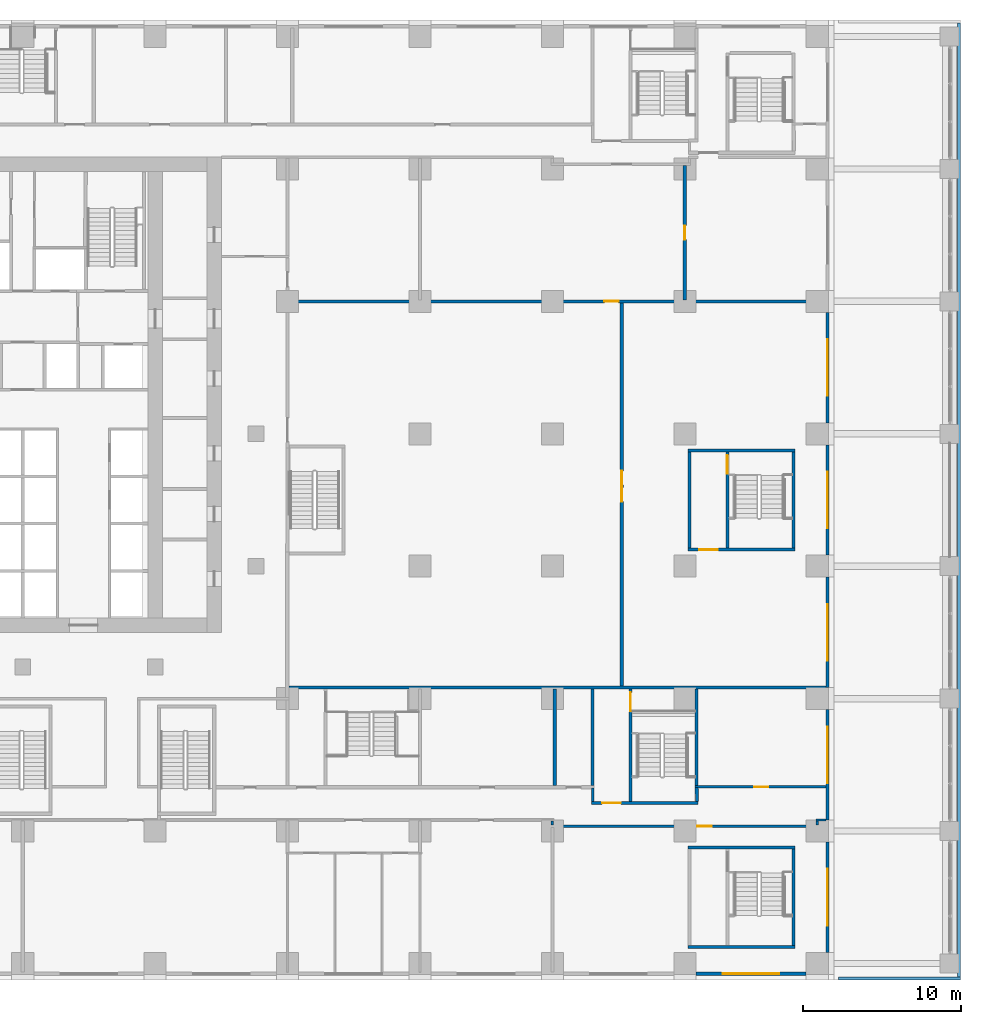
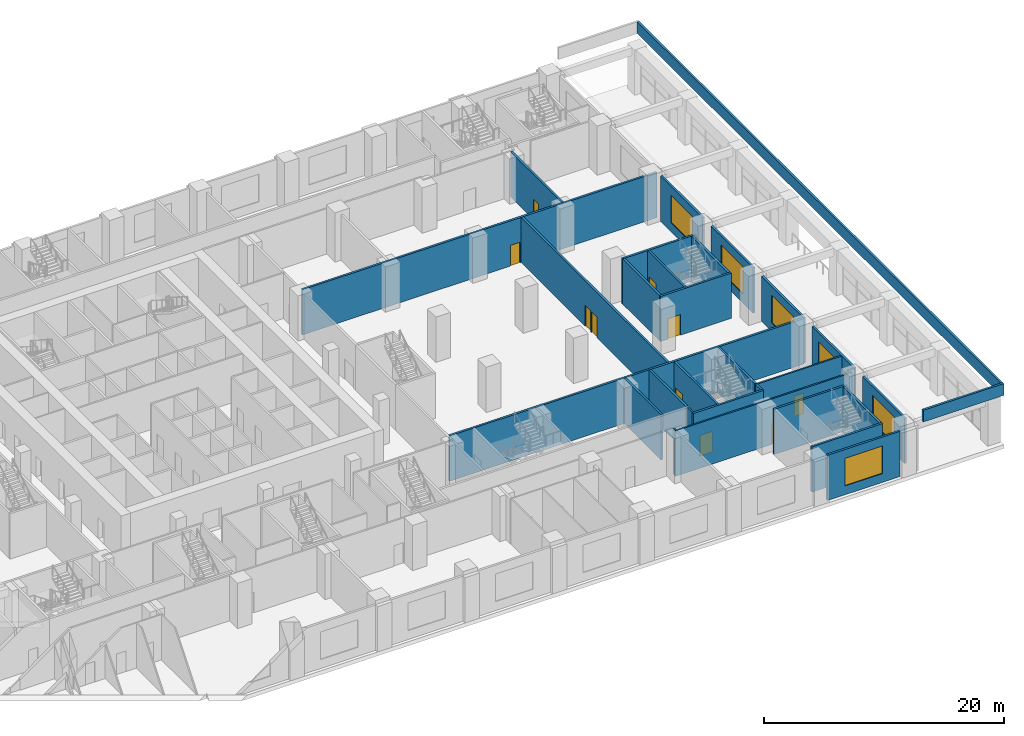
# One storey, part 16 of 29: 32 walls, 10 doors, 6 windows, 16 openings.
"""IFC4 building model written with IfcOpenShell, lengths in metres."""

from ifc_helpers import new_model, si_unit, direction, frame, frame_2d, origin, place, context, subcontext, project, spatial, rectangle, extrude, material, layer, layer_set, type_object, element, fill, save


model = new_model("IFC4")

# Units and contexts
model_context = context("Model", 3, precision=1e-05, world=origin(), true_north=direction((0.0, 1.0)))
body_context = subcontext(model_context, "Body", "Model", "MODEL_VIEW")
ifc_project = project(units=[si_unit("LENGTHUNIT", "METRE"), si_unit("AREAUNIT", "SQUARE_METRE"), si_unit("VOLUMEUNIT", "CUBIC_METRE"), si_unit("PLANEANGLEUNIT", "RADIAN"), si_unit("MASSUNIT", "GRAM", prefix="KILO")], contexts=[model_context])

# Site, building, storey
site_placement = place(None, origin())
site = spatial("IfcSite", under=ifc_project, at=site_placement, CompositionType="ELEMENT")
building_placement = place(site_placement, origin())
building = spatial("IfcBuilding", under=site, at=building_placement, Name="Vermilion Ogive Tower", CompositionType="ELEMENT")
storey_placement = place(building_placement, frame((0.0, 0.0, 7.5)))
storey = spatial("IfcBuildingStorey", under=building, at=storey_placement, Name="L01", CompositionType="ELEMENT", Elevation=7.5)

# Wall, opening, door
ifc_material_1 = material(Name="Gypsum board partition on steel studs", Category="steel")
ifc_layer_1 = layer(ifc_material_1, 0.14990234375)
ifc_layer_set_1 = layer_set([ifc_layer_1], Name="Partition 150 corridor")
wall_type_1 = type_object("IfcWallType", Name="Partition 150 corridor", PredefinedType="PARTITIONING", material=ifc_layer_set_1)
wall_1_placement = place(storey_placement, frame((33.5, -20.699951171875, 0.0), z_axis=(0.0, 0.0, 1.0), x_axis=(1.0, 0.0, 0.0)))
wall_1 = element("IfcWall", 1, at=wall_1_placement, inside=storey, type_object=wall_type_1, Name="L01-FS-W-W007", PredefinedType="PARTITIONING", context=body_context, shape_type="SweptSolid", body=[
    extrude(rectangle(XDim=16.97509765625, YDim=0.14990234375, at=frame_2d((8.487548828125, 0.0))), origin(), (0.0, 0.0, 1.0), 4.60009765625),
])
opening_1_placement = place(wall_1_placement, frame((9.300048828125, 0.0, 0.0)))
opening_1 = element("IfcOpeningElement", 2, at=opening_1_placement, cuts=wall_1, Name="Opening L01S053", PredefinedType="OPENING", context=body_context, shape_type="SweptSolid", body=[
    extrude(rectangle(XDim=0.89990234375, YDim=2.10009765625, at=frame_2d((0.449951171875, 1.050048828125))), frame((0.0, 0.0849609375, 0.0), z_axis=(0.0, -1.0, 0.0), x_axis=(1.0, 0.0, 0.0)), (0.0, 0.0, 1.0), 0.169921875),
])
ifc_material_2 = material(Name="Timber door leaf", Category="wood")
door_type_1 = type_object("IfcDoorType", Name="Room door 900 x 2100 FD30", OperationType="SINGLE_SWING_LEFT", PredefinedType="DOOR", material=ifc_material_2)
door_1_placement = place(opening_1_placement, origin())
door_1 = element("IfcDoor", 3, at=door_1_placement, inside=storey, type_object=door_type_1, Name="L01-FS-D-D053", OperationType="SINGLE_SWING_RIGHT", OverallHeight=2.10009765625, OverallWidth=0.89990234375, PredefinedType="DOOR", context=body_context, shape_type="SweptSolid", body=[
    extrude(rectangle(XDim=0.89990234375, YDim=2.10009765625, at=frame_2d((0.449951171875, 1.050048828125))), frame((0.0, 0.02490234375, 0.0), z_axis=(0.0, -1.0, 0.0), x_axis=(1.0, 0.0, 0.0)), (0.0, 0.0, 1.0), 0.050048828125),
])
fill(opening_1, door_1)

# Wall
wall_2_placement = place(storey_placement, frame((50.324951171875, -20.300048828125, 0.0), z_axis=(0.0, 0.0, 1.0), x_axis=(1.0, 0.0, 0.0)))
element("IfcWall", 4, at=wall_2_placement, inside=storey, type_object=wall_type_1, Name="L01-FS-W-W009", PredefinedType="PARTITIONING", context=body_context, shape_type="SweptSolid", body=[
    extrude(rectangle(XDim=0.625, YDim=0.14990234375, at=frame_2d((0.3125, 0.0))), origin(), (0.0, 0.0, 1.0), 4.60009765625),
])

# Wall, opening, door
wall_3_placement = place(storey_placement, frame((42.64990234375, -18.199951171875, 0.0), z_axis=(0.0, 0.0, 1.0), x_axis=(1.0, 0.0, 0.0)))
wall_3 = element("IfcWall", 5, at=wall_3_placement, inside=storey, type_object=wall_type_1, Name="L01-FS-W-W017", PredefinedType="PARTITIONING", context=body_context, shape_type="SweptSolid", body=[
    extrude(rectangle(XDim=8.300048828125, YDim=0.14990234375, at=frame_2d((4.14990234375, 0.0))), origin(), (0.0, 0.0, 1.0), 4.60009765625),
])
opening_2_placement = place(wall_3_placement, frame((3.75, 0.0, 0.0)))
opening_2 = element("IfcOpeningElement", 6, at=opening_2_placement, cuts=wall_3, Name="Opening L01S047", PredefinedType="OPENING", context=body_context, shape_type="SweptSolid", body=[
    extrude(rectangle(XDim=0.89990234375, YDim=2.10009765625, at=frame_2d((0.449951171875, 1.050048828125))), frame((0.0, 0.0849609375, 0.0), z_axis=(0.0, -1.0, 0.0), x_axis=(1.0, 0.0, 0.0)), (0.0, 0.0, 1.0), 0.169921875),
])
door_2_placement = place(opening_2_placement, origin())
door_2 = element("IfcDoor", 7, at=door_2_placement, inside=storey, type_object=door_type_1, Name="L01-FS-D-D047", OperationType="SINGLE_SWING_LEFT", OverallHeight=2.10009765625, OverallWidth=0.89990234375, PredefinedType="DOOR", context=body_context, shape_type="SweptSolid", body=[
    extrude(rectangle(XDim=0.89990234375, YDim=2.10009765625, at=frame_2d((0.449951171875, 1.050048828125))), frame((0.0, 0.02490234375, 0.0), z_axis=(0.0, -1.0, 0.0), x_axis=(1.0, 0.0, 0.0)), (0.0, 0.0, 1.0), 0.050048828125),
])
fill(opening_2, door_2)

# Walls
wall_4_placement = place(storey_placement, frame((33.60009765625, -20.625, 0.0), z_axis=(0.0, 0.0, 1.0), x_axis=(0.0, 1.0, 0.0)))
element("IfcWall", 8, at=wall_4_placement, inside=storey, type_object=wall_type_1, Name="L01-FS-W-W088", PredefinedType="PARTITIONING", context=body_context, shape_type="SweptSolid", body=[
    extrude(rectangle(XDim=0.25, YDim=0.14990234375, at=frame_2d((0.125, 0.0))), origin(), (0.0, 0.0, 1.0), 4.60009765625),
])
wall_5_placement = place(storey_placement, frame((36.14990234375, -19.125, 0.0), z_axis=(0.0, 0.0, 1.0), x_axis=(0.0, 1.0, 0.0)))
element("IfcWall", 9, at=wall_5_placement, inside=storey, type_object=wall_type_1, Name="L01-FS-W-W091", PredefinedType="PARTITIONING", context=body_context, shape_type="SweptSolid", body=[
    extrude(rectangle(XDim=0.85009765625, YDim=0.14990234375, at=frame_2d((0.425048828125, 0.0))), origin(), (0.0, 0.0, 1.0), 4.60009765625),
])
wall_6_placement = place(storey_placement, frame((50.39990234375, -20.625, 0.0), z_axis=(0.0, 0.0, 1.0), x_axis=(0.0, 1.0, 0.0)))
element("IfcWall", 10, at=wall_6_placement, inside=storey, type_object=wall_type_1, Name="L01-FS-W-W113", PredefinedType="PARTITIONING", context=body_context, shape_type="SweptSolid", body=[
    extrude(rectangle(XDim=0.25, YDim=0.14990234375, at=frame_2d((0.125, 0.0))), origin(), (0.0, 0.0, 1.0), 4.60009765625),
])

# Wall, opening, door
ifc_material_3 = material(Name="Gypsum board partition on steel studs", Category="steel")
ifc_layer_2 = layer(ifc_material_3, 0.199951171875)
ifc_layer_set_2 = layer_set([ifc_layer_2], Name="Partition 200 party")
wall_type_2 = type_object("IfcWallType", Name="Partition 200 party", PredefinedType="PARTITIONING", material=ifc_layer_set_2)
wall_7_placement = place(storey_placement, frame((16.875, 12.60009765625, 0.0), z_axis=(0.0, 0.0, 1.0), x_axis=(1.0, 0.0, 0.0)))
wall_7 = element("IfcWall", 11, at=wall_7_placement, inside=storey, type_object=wall_type_2, Name="L01-FS-W-W028", PredefinedType="PARTITIONING", context=body_context, shape_type="SweptSolid", body=[
    extrude(rectangle(XDim=34.074951171875, YDim=0.199951171875, at=frame_2d((17.03759765625, 0.0))), origin(), (0.0, 0.0, 1.0), 4.60009765625),
])
opening_3_placement = place(wall_7_placement, frame((20.02490234375, 0.0, 0.0)))
opening_3 = element("IfcOpeningElement", 12, at=opening_3_placement, cuts=wall_7, Name="Opening L01S042", PredefinedType="OPENING", context=body_context, shape_type="SweptSolid", body=[
    extrude(rectangle(XDim=0.89990234375, YDim=2.10009765625, at=frame_2d((0.449951171875, 1.050048828125))), frame((0.0, 0.10986328125, 0.0), z_axis=(0.0, -1.0, 0.0), x_axis=(1.0, 0.0, 0.0)), (0.0, 0.0, 1.0), 0.219970703125),
])
door_3_placement = place(opening_3_placement, origin())
door_3 = element("IfcDoor", 13, at=door_3_placement, inside=storey, type_object=door_type_1, Name="L01-FS-D-D042", OperationType="SINGLE_SWING_RIGHT", OverallHeight=2.10009765625, OverallWidth=0.89990234375, PredefinedType="DOOR", context=body_context, shape_type="SweptSolid", body=[
    extrude(rectangle(XDim=0.89990234375, YDim=2.10009765625, at=frame_2d((0.449951171875, 1.050048828125))), frame((0.0, 0.02490234375, 0.0), z_axis=(0.0, -1.0, 0.0), x_axis=(1.0, 0.0, 0.0)), (0.0, 0.0, 1.0), 0.050048828125),
])
fill(opening_3, door_3)

# Walls
for number, where, z_axis, x_axis, name in (
    (14, (33.75, -18.125, 0.0), (0.0, 0.0, 1.0), (0.0, 1.0, 0.0), "L01-FS-W-W090"),
    (15, (36.14990234375, -18.125, 0.0), (0.0, 0.0, 1.0), (0.0, 1.0, 0.0), "L01-FS-W-W092"),
):
    element("IfcWall", number, at=place(storey_placement, frame(where, z_axis=z_axis, x_axis=x_axis)), inside=storey, type_object=wall_type_2, Name=name, PredefinedType="PARTITIONING", context=body_context, shape_type="SweptSolid", body=[
        extrude(rectangle(XDim=6.125, YDim=0.199951171875, at=frame_2d((3.0625, 0.0))), origin(), (0.0, 0.0, 1.0), 4.60009765625),
    ])

# Wall, openings, doors
wall_8_placement = place(storey_placement, frame((38.0, -11.800048828125, 0.0), z_axis=(0.0, 0.0, 1.0), x_axis=(0.0, 1.0, 0.0)))
wall_8 = element("IfcWall", 16, at=wall_8_placement, inside=storey, type_object=wall_type_2, Name="L01-FS-W-W095", PredefinedType="PARTITIONING", context=body_context, shape_type="SweptSolid", body=[
    extrude(rectangle(XDim=24.300048828125, YDim=0.199951171875, at=frame_2d((12.14990234375, 0.0))), origin(), (0.0, 0.0, 1.0), 4.60009765625),
])
opening_4_placement = place(wall_8_placement, frame((11.699951171875, 0.0, 0.0)))
opening_4 = element("IfcOpeningElement", 17, at=opening_4_placement, cuts=wall_8, Name="Opening L01S039", PredefinedType="OPENING", context=body_context, shape_type="SweptSolid", body=[
    extrude(rectangle(XDim=0.89990234375, YDim=2.10009765625, at=frame_2d((0.449951171875, 1.050048828125))), frame((0.0, 0.10986328125, 0.0), z_axis=(0.0, -1.0, 0.0), x_axis=(1.0, 0.0, 0.0)), (0.0, 0.0, 1.0), 0.219970703125),
])
opening_5_placement = place(wall_8_placement, frame((12.75, 0.0, 0.0)))
opening_5 = element("IfcOpeningElement", 18, at=opening_5_placement, cuts=wall_8, Name="Opening L01S040", PredefinedType="OPENING", context=body_context, shape_type="SweptSolid", body=[
    extrude(rectangle(XDim=0.89990234375, YDim=2.10009765625, at=frame_2d((0.449951171875, 1.050048828125))), frame((0.0, 0.10986328125, 0.0), z_axis=(0.0, -1.0, 0.0), x_axis=(1.0, 0.0, 0.0)), (0.0, 0.0, 1.0), 0.219970703125),
])
door_4_placement = place(opening_4_placement, origin())
door_4 = element("IfcDoor", 19, at=door_4_placement, inside=storey, type_object=door_type_1, Name="L01-FS-D-D039", OperationType="SINGLE_SWING_RIGHT", OverallHeight=2.10009765625, OverallWidth=0.89990234375, PredefinedType="DOOR", context=body_context, shape_type="SweptSolid", body=[
    extrude(rectangle(XDim=0.89990234375, YDim=2.10009765625, at=frame_2d((0.449951171875, 1.050048828125))), frame((0.0, 0.02490234375, 0.0), z_axis=(0.0, -1.0, 0.0), x_axis=(1.0, 0.0, 0.0)), (0.0, 0.0, 1.0), 0.050048828125),
])
fill(opening_4, door_4)
door_5_placement = place(opening_5_placement, origin())
door_5 = element("IfcDoor", 20, at=door_5_placement, inside=storey, type_object=door_type_1, Name="L01-FS-D-D040", OperationType="SINGLE_SWING_RIGHT", OverallHeight=2.10009765625, OverallWidth=0.89990234375, PredefinedType="DOOR", context=body_context, shape_type="SweptSolid", body=[
    extrude(rectangle(XDim=0.89990234375, YDim=2.10009765625, at=frame_2d((0.449951171875, 1.050048828125))), frame((0.0, 0.02490234375, 0.0), z_axis=(0.0, -1.0, 0.0), x_axis=(1.0, 0.0, 0.0)), (0.0, 0.0, 1.0), 0.050048828125),
])
fill(opening_5, door_5)

# Wall, opening, door
wall_9_placement = place(storey_placement, frame((42.0, 12.699951171875, 0.0), z_axis=(0.0, 0.0, 1.0), x_axis=(0.0, 1.0, 0.0)))
wall_9 = element("IfcWall", 21, at=wall_9_placement, inside=storey, type_object=wall_type_2, Name="L01-FS-W-W098", PredefinedType="PARTITIONING", context=body_context, shape_type="SweptSolid", body=[
    extrude(rectangle(XDim=8.525146484375, YDim=0.199951171875, at=frame_2d((4.2626953125, 0.0))), origin(), (0.0, 0.0, 1.0), 4.60009765625),
])
opening_6_placement = place(wall_9_placement, frame((3.8125, 0.0, 0.0)))
opening_6 = element("IfcOpeningElement", 22, at=opening_6_placement, cuts=wall_9, Name="Opening L01S044", PredefinedType="OPENING", context=body_context, shape_type="SweptSolid", body=[
    extrude(rectangle(XDim=0.89990234375, YDim=2.10009765625, at=frame_2d((0.449951171875, 1.050048828125))), frame((0.0, 0.10986328125, 0.0), z_axis=(0.0, -1.0, 0.0), x_axis=(1.0, 0.0, 0.0)), (0.0, 0.0, 1.0), 0.219970703125),
])
door_6_placement = place(opening_6_placement, origin())
door_6 = element("IfcDoor", 23, at=door_6_placement, inside=storey, type_object=door_type_1, Name="L01-FS-D-D044", OperationType="SINGLE_SWING_RIGHT", OverallHeight=2.10009765625, OverallWidth=0.89990234375, PredefinedType="DOOR", context=body_context, shape_type="SweptSolid", body=[
    extrude(rectangle(XDim=0.89990234375, YDim=2.10009765625, at=frame_2d((0.449951171875, 1.050048828125))), frame((0.0, 0.02490234375, 0.0), z_axis=(0.0, -1.0, 0.0), x_axis=(1.0, 0.0, 0.0)), (0.0, 0.0, 1.0), 0.050048828125),
])
fill(opening_6, door_6)

# Walls
wall_10_placement = place(storey_placement, frame((42.300048828125, -3.050048828125, 0.0), z_axis=(0.0, 0.0, 1.0), x_axis=(0.0, 1.0, 0.0)))
element("IfcWall", 24, at=wall_10_placement, inside=storey, type_object=wall_type_2, Name="L01-FS-W-W100", PredefinedType="PARTITIONING", context=body_context, shape_type="SweptSolid", body=[
    extrude(rectangle(XDim=6.10009765625, YDim=0.199951171875, at=frame_2d((3.050048828125, 0.0))), origin(), (0.0, 0.0, 1.0), 4.60009765625),
])
ifc_material_4 = material(Name="Concrete B60", Category="concrete")
ifc_layer_3 = layer(ifc_material_4, 0.199951171875)
ifc_layer_set_3 = layer_set([ifc_layer_3], Name="Stair shaft wall 200 Concrete B60")
wall_type_3 = type_object("IfcWallType", Name="Stair shaft wall 200 Concrete B60", PredefinedType="SOLIDWALL", material=ifc_layer_set_3)
for number, where, z_axis, x_axis, name in (
    (25, (42.199951171875, -28.35009765625, 0.0), (0.0, 0.0, 1.0), (1.0, 0.0, 0.0), "L01-FS-W-W002"),
    (26, (42.199951171875, -22.050048828125, 0.0), (0.0, 0.0, 1.0), (1.0, 0.0, 0.0), "L01-FS-W-W006"),
):
    element("IfcWall", number, at=place(storey_placement, frame(where, z_axis=z_axis, x_axis=x_axis)), inside=storey, type_object=wall_type_3, Name=name, PredefinedType="SOLIDWALL", context=body_context, shape_type="SweptSolid", body=[
        extrude(rectangle(XDim=6.800048828125, YDim=0.199951171875, at=frame_2d((3.39990234375, 0.0))), origin(), (0.0, 0.0, 1.0), 4.60009765625),
    ])

# Wall, opening, door
wall_11_placement = place(storey_placement, frame((36.074951171875, -19.224853515625, 0.0), z_axis=(0.0, 0.0, 1.0), x_axis=(1.0, 0.0, 0.0)))
wall_11 = element("IfcWall", 27, at=wall_11_placement, inside=storey, type_object=wall_type_3, Name="L01-FS-W-W010", PredefinedType="SOLIDWALL", context=body_context, shape_type="SweptSolid", body=[
    extrude(rectangle(XDim=6.75, YDim=0.199951171875, at=frame_2d((3.375, 0.0))), origin(), (0.0, 0.0, 1.0), 4.60009765625),
])
opening_7_placement = place(wall_11_placement, frame((0.675048828125, 0.0, 0.0)))
opening_7 = element("IfcOpeningElement", 28, at=opening_7_placement, cuts=wall_11, Name="Opening L01S017", PredefinedType="OPENING", context=body_context, shape_type="SweptSolid", body=[
    extrude(rectangle(XDim=1.199951171875, YDim=2.10009765625, at=frame_2d((0.60009765625, 1.050048828125))), frame((0.0, 0.10986328125, 0.0), z_axis=(0.0, -1.0, 0.0), x_axis=(1.0, 0.0, 0.0)), (0.0, 0.0, 1.0), 0.219970703125),
])
ifc_material_5 = material(Name="Timber door leaf", Category="wood")
door_type_2 = type_object("IfcDoorType", Name="Stair door 1200 x 2100 FD60S", OperationType="SINGLE_SWING_LEFT", PredefinedType="DOOR", material=ifc_material_5)
door_7_placement = place(opening_7_placement, origin())
door_7 = element("IfcDoor", 29, at=door_7_placement, inside=storey, type_object=door_type_2, Name="L01-FS-D-D017", OperationType="SINGLE_SWING_LEFT", OverallHeight=2.10009765625, OverallWidth=1.199951171875, PredefinedType="DOOR", context=body_context, shape_type="SweptSolid", body=[
    extrude(rectangle(XDim=1.199951171875, YDim=2.10009765625, at=frame_2d((0.60009765625, 1.050048828125))), frame((0.0, 0.02490234375, 0.0), z_axis=(0.0, -1.0, 0.0), x_axis=(1.0, 0.0, 0.0)), (0.0, 0.0, 1.0), 0.050048828125),
])
fill(opening_7, door_7)

wall_12_placement = place(storey_placement, frame((42.199951171875, -3.14990234375, 0.0), z_axis=(0.0, 0.0, 1.0), x_axis=(1.0, 0.0, 0.0)))
wall_12 = element("IfcWall", 30, at=wall_12_placement, inside=storey, type_object=wall_type_3, Name="L01-FS-W-W024", PredefinedType="SOLIDWALL", context=body_context, shape_type="SweptSolid", body=[
    extrude(rectangle(XDim=6.800048828125, YDim=0.199951171875, at=frame_2d((3.39990234375, 0.0))), origin(), (0.0, 0.0, 1.0), 4.60009765625),
])
opening_8_placement = place(wall_12_placement, frame((0.699951171875, 0.0, 0.0)))
opening_8 = element("IfcOpeningElement", 31, at=opening_8_placement, cuts=wall_12, Name="Opening L01S019", PredefinedType="OPENING", context=body_context, shape_type="SweptSolid", body=[
    extrude(rectangle(XDim=1.199951171875, YDim=2.10009765625, at=frame_2d((0.60009765625, 1.050048828125))), frame((0.0, 0.10986328125, 0.0), z_axis=(0.0, -1.0, 0.0), x_axis=(1.0, 0.0, 0.0)), (0.0, 0.0, 1.0), 0.219970703125),
])
door_8_placement = place(opening_8_placement, origin())
door_8 = element("IfcDoor", 32, at=door_8_placement, inside=storey, type_object=door_type_2, Name="L01-FS-D-D019", OperationType="SINGLE_SWING_LEFT", OverallHeight=2.10009765625, OverallWidth=1.199951171875, PredefinedType="DOOR", context=body_context, shape_type="SweptSolid", body=[
    extrude(rectangle(XDim=1.199951171875, YDim=2.10009765625, at=frame_2d((0.60009765625, 1.050048828125))), frame((0.0, 0.02490234375, 0.0), z_axis=(0.0, -1.0, 0.0), x_axis=(1.0, 0.0, 0.0)), (0.0, 0.0, 1.0), 0.050048828125),
])
fill(opening_8, door_8)

# Wall
wall_13_placement = place(storey_placement, frame((42.199951171875, 3.14990234375, 0.0), z_axis=(0.0, 0.0, 1.0), x_axis=(1.0, 0.0, 0.0)))
element("IfcWall", 33, at=wall_13_placement, inside=storey, type_object=wall_type_3, Name="L01-FS-W-W026", PredefinedType="SOLIDWALL", context=body_context, shape_type="SweptSolid", body=[
    extrude(rectangle(XDim=6.800048828125, YDim=0.199951171875, at=frame_2d((3.39990234375, 0.0))), origin(), (0.0, 0.0, 1.0), 4.60009765625),
])

# Wall, opening, door
wall_14_placement = place(storey_placement, frame((38.550048828125, -19.125, 0.0), z_axis=(0.0, 0.0, 1.0), x_axis=(0.0, 1.0, 0.0)))
wall_14 = element("IfcWall", 34, at=wall_14_placement, inside=storey, type_object=wall_type_3, Name="L01-FS-W-W096", PredefinedType="SOLIDWALL", context=body_context, shape_type="SweptSolid", body=[
    extrude(rectangle(XDim=7.125, YDim=0.199951171875, at=frame_2d((3.5625, 0.0))), origin(), (0.0, 0.0, 1.0), 4.60009765625),
])
opening_9_placement = place(wall_14_placement, frame((5.72509765625, 0.0, 0.0)))
opening_9 = element("IfcOpeningElement", 35, at=opening_9_placement, cuts=wall_14, Name="Opening L01S006", PredefinedType="OPENING", context=body_context, shape_type="SweptSolid", body=[
    extrude(rectangle(XDim=1.199951171875, YDim=2.10009765625, at=frame_2d((0.60009765625, 1.050048828125))), frame((0.0, 0.10986328125, 0.0), z_axis=(0.0, -1.0, 0.0), x_axis=(1.0, 0.0, 0.0)), (0.0, 0.0, 1.0), 0.219970703125),
])
door_9_placement = place(opening_9_placement, origin())
door_9 = element("IfcDoor", 36, at=door_9_placement, inside=storey, type_object=door_type_2, Name="L01-FS-D-D006", OperationType="DOUBLE_DOOR_SINGLE_SWING", OverallHeight=2.10009765625, OverallWidth=1.199951171875, PredefinedType="DOOR", context=body_context, shape_type="SweptSolid", body=[
    extrude(rectangle(XDim=1.199951171875, YDim=2.10009765625, at=frame_2d((0.60009765625, 1.050048828125))), frame((0.0, 0.02490234375, 0.0), z_axis=(0.0, -1.0, 0.0), x_axis=(1.0, 0.0, 0.0)), (0.0, 0.0, 1.0), 0.050048828125),
])
fill(opening_9, door_9)

# Walls
wall_15_placement = place(storey_placement, frame((42.77490234375, -19.125, 0.0), z_axis=(0.0, 0.0, 1.0), x_axis=(-0.028448302746, 0.99959526513, 0.0)))
element("IfcWall", 37, at=wall_15_placement, inside=storey, type_object=wall_type_3, Name="L01-FS-W-W103", PredefinedType="SOLIDWALL", context=body_context, shape_type="SweptSolid", body=[
    extrude(rectangle(XDim=0.875244140625, YDim=0.199951171875, at=frame_2d((0.4375, 0.0))), origin(), (0.0, 0.0, 1.0), 4.60009765625),
])
wall_16_placement = place(storey_placement, frame((42.75, -18.125, 0.0), z_axis=(0.0, 0.0, 1.0), x_axis=(0.0, 1.0, 0.0)))
element("IfcWall", 38, at=wall_16_placement, inside=storey, type_object=wall_type_3, Name="L01-FS-W-W104", PredefinedType="SOLIDWALL", context=body_context, shape_type="SweptSolid", body=[
    extrude(rectangle(XDim=6.125, YDim=0.199951171875, at=frame_2d((3.0625, 0.0))), origin(), (0.0, 0.0, 1.0), 4.60009765625),
])

# Wall, opening, door
wall_17_placement = place(storey_placement, frame((44.699951171875, -3.050048828125, 0.0), z_axis=(0.0, 0.0, 1.0), x_axis=(0.0, 1.0, 0.0)))
wall_17 = element("IfcWall", 39, at=wall_17_placement, inside=storey, type_object=wall_type_3, Name="L01-FS-W-W107", PredefinedType="SOLIDWALL", context=body_context, shape_type="SweptSolid", body=[
    extrude(rectangle(XDim=6.10009765625, YDim=0.199951171875, at=frame_2d((3.050048828125, 0.0))), origin(), (0.0, 0.0, 1.0), 4.60009765625),
])
opening_10_placement = place(wall_17_placement, frame((4.7001953125, 0.0, 0.0)))
opening_10 = element("IfcOpeningElement", 40, at=opening_10_placement, cuts=wall_17, Name="Opening L01S008", PredefinedType="OPENING", context=body_context, shape_type="SweptSolid", body=[
    extrude(rectangle(XDim=1.199951171875, YDim=2.10009765625, at=frame_2d((0.60009765625, 1.050048828125))), frame((0.0, 0.10986328125, 0.0), z_axis=(0.0, -1.0, 0.0), x_axis=(1.0, 0.0, 0.0)), (0.0, 0.0, 1.0), 0.219970703125),
])
door_10_placement = place(opening_10_placement, origin())
door_10 = element("IfcDoor", 41, at=door_10_placement, inside=storey, type_object=door_type_2, Name="L01-FS-D-D008", OperationType="DOUBLE_DOOR_SINGLE_SWING", OverallHeight=2.10009765625, OverallWidth=1.199951171875, PredefinedType="DOOR", context=body_context, shape_type="SweptSolid", body=[
    extrude(rectangle(XDim=1.199951171875, YDim=2.10009765625, at=frame_2d((0.60009765625, 1.050048828125))), frame((0.0, 0.02490234375, 0.0), z_axis=(0.0, -1.0, 0.0), x_axis=(1.0, 0.0, 0.0)), (0.0, 0.0, 1.0), 0.050048828125),
])
fill(opening_10, door_10)

# Walls
for number, where, z_axis, x_axis, name in (
    (42, (48.89990234375, -28.25, 0.0), (0.0, 0.0, 1.0), (0.0, 1.0, 0.0), "L01-FS-W-W109"),
    (43, (48.89990234375, -3.050048828125, 0.0), (0.0, 0.0, 1.0), (0.0, 1.0, 0.0), "L01-FS-W-W110"),
):
    element("IfcWall", number, at=place(storey_placement, frame(where, z_axis=z_axis, x_axis=x_axis)), inside=storey, type_object=wall_type_3, Name=name, PredefinedType="SOLIDWALL", context=body_context, shape_type="SweptSolid", body=[
        extrude(rectangle(XDim=6.10009765625, YDim=0.199951171875, at=frame_2d((3.050048828125, 0.0))), origin(), (0.0, 0.0, 1.0), 4.60009765625),
    ])
wall_18_placement = place(storey_placement, frame((16.875, -11.89990234375, 0.0), z_axis=(0.0, 0.0, 1.0), x_axis=(1.0, 0.0, 0.0)))
element("IfcWall", 44, at=wall_18_placement, inside=storey, type_object=wall_type_3, Name="L01-FS-W-W022-A", PredefinedType="SOLIDWALL", context=body_context, shape_type="SweptSolid", body=[
    extrude(rectangle(XDim=34.074951171875, YDim=0.199951171875, at=frame_2d((17.03759765625, 0.0))), origin(), (0.0, 0.0, 1.0), 4.60009765625),
])
ifc_material_6 = material(Name="Concrete B45", Category="concrete")
ifc_layer_4 = layer(ifc_material_6, 0.199951171875)
ifc_layer_set_4 = layer_set([ifc_layer_4], Name="Terrace parapet RC Concrete B45")
wall_type_4 = type_object("IfcWallType", Name="Terrace parapet RC Concrete B45", PredefinedType="PARAPET", material=ifc_layer_set_4)
wall_19_placement = place(storey_placement, frame((51.75, -30.35009765625, 5.0), z_axis=(0.0, 0.0, 1.0), x_axis=(1.0, 0.0, 0.0)))
element("IfcWall", 45, at=wall_19_placement, inside=storey, type_object=wall_type_4, Name="L01 terrace parapet 1", PredefinedType="PARAPET", context=body_context, shape_type="SweptSolid", body=[
    extrude(rectangle(XDim=7.75, YDim=0.199951171875, at=frame_2d((3.875, 0.0))), origin(), (0.0, 0.0, 1.0), 1.199951171875),
])
wall_20_placement = place(storey_placement, frame((59.39990234375, -30.25, 5.0), z_axis=(0.0, 0.0, 1.0), x_axis=(0.0, 1.0, 0.0)))
element("IfcWall", 46, at=wall_20_placement, inside=storey, type_object=wall_type_4, Name="L01 terrace parapet 3", PredefinedType="PARAPET", context=body_context, shape_type="SweptSolid", body=[
    extrude(rectangle(XDim=60.5, YDim=0.199951171875, at=frame_2d((30.25, 0.0))), origin(), (0.0, 0.0, 1.0), 1.199951171875),
])

# Wall, opening, window
ifc_material_7 = material(Name="Aluminium window wall framing", Category="aluminium")
ifc_layer_5 = layer(ifc_material_7, 0.199951171875)
ifc_layer_set_5 = layer_set([ifc_layer_5], Name="Window wall")
wall_type_5 = type_object("IfcWallType", Name="Window wall", PredefinedType="STANDARD", material=ifc_layer_set_5)
wall_21_placement = place(storey_placement, frame((42.699951171875, -30.050048828125, 0.0), z_axis=(0.0, 0.0, 1.0), x_axis=(1.0, 0.0, 0.0)))
wall_21 = element("IfcWall", 47, at=wall_21_placement, inside=storey, type_object=wall_type_5, Name="Window wall S10", PredefinedType="STANDARD", context=body_context, shape_type="SweptSolid", body=[
    extrude(rectangle(XDim=7.0, YDim=0.199951171875, at=frame_2d((3.5, 0.0))), origin(), (0.0, 0.0, 1.0), 4.60009765625),
])
opening_11_placement = place(wall_21_placement, frame((1.699951171875, 0.0, 0.89990234375)))
opening_11 = element("IfcOpeningElement", 48, at=opening_11_placement, cuts=wall_21, Name="Opening P-S10", PredefinedType="OPENING", context=body_context, shape_type="SweptSolid", body=[
    extrude(rectangle(XDim=3.60009765625, YDim=2.800048828125, at=frame_2d((1.800048828125, 1.39990234375))), frame((0.0, 0.10986328125, 0.0), z_axis=(0.0, -1.0, 0.0), x_axis=(1.0, 0.0, 0.0)), (0.0, 0.0, 1.0), 0.219970703125),
])
ifc_material_8 = material(Name="Aluminium framed double glazing", Category="aluminium")
window_type = type_object("IfcWindowType", Name="Podium window P 3600x2800 sill 900", PartitioningType="SINGLE_PANEL", PredefinedType="WINDOW", material=ifc_material_8)
window_1_placement = place(opening_11_placement, origin())
window_1 = element("IfcWindow", 49, at=window_1_placement, inside=storey, type_object=window_type, Name="Window S10", OverallHeight=2.800048828125, OverallWidth=3.60009765625, PartitioningType="SINGLE_PANEL", PredefinedType="WINDOW", context=body_context, shape_type="SweptSolid", body=[
    extrude(rectangle(XDim=3.60009765625, YDim=2.800048828125, at=frame_2d((1.800048828125, 1.39990234375))), frame((0.0, 0.030029296875, 0.0), z_axis=(0.0, -1.0, 0.0), x_axis=(1.0, 0.0, 0.0)), (0.0, 0.0, 1.0), 0.06005859375),
])
fill(opening_11, window_1)

wall_22_placement = place(storey_placement, frame((51.050048828125, -28.699951171875, 0.0), z_axis=(0.0, 0.0, 1.0), x_axis=(0.0, 1.0, 0.0)))
wall_22 = element("IfcWall", 50, at=wall_22_placement, inside=storey, type_object=wall_type_5, Name="Window wall E1", PredefinedType="STANDARD", context=body_context, shape_type="SweptSolid", body=[
    extrude(rectangle(XDim=7.0, YDim=0.199951171875, at=frame_2d((3.5, 0.0))), origin(), (0.0, 0.0, 1.0), 4.60009765625),
])
opening_12_placement = place(wall_22_placement, frame((1.699951171875, 0.0, 0.89990234375)))
opening_12 = element("IfcOpeningElement", 51, at=opening_12_placement, cuts=wall_22, Name="Opening P-E1", PredefinedType="OPENING", context=body_context, shape_type="SweptSolid", body=[
    extrude(rectangle(XDim=3.60009765625, YDim=2.800048828125, at=frame_2d((1.800048828125, 1.39990234375))), frame((0.0, 0.10986328125, 0.0), z_axis=(0.0, -1.0, 0.0), x_axis=(1.0, 0.0, 0.0)), (0.0, 0.0, 1.0), 0.219970703125),
])
window_2_placement = place(opening_12_placement, origin())
window_2 = element("IfcWindow", 52, at=window_2_placement, inside=storey, type_object=window_type, Name="Window E1", OverallHeight=2.800048828125, OverallWidth=3.60009765625, PartitioningType="SINGLE_PANEL", PredefinedType="WINDOW", context=body_context, shape_type="SweptSolid", body=[
    extrude(rectangle(XDim=3.60009765625, YDim=2.800048828125, at=frame_2d((1.800048828125, 1.39990234375))), frame((0.0, 0.030029296875, 0.0), z_axis=(0.0, -1.0, 0.0), x_axis=(1.0, 0.0, 0.0)), (0.0, 0.0, 1.0), 0.06005859375),
])
fill(opening_12, window_2)

wall_23_placement = place(storey_placement, frame((51.050048828125, -20.300048828125, 0.0), z_axis=(0.0, 0.0, 1.0), x_axis=(0.0, 1.0, 0.0)))
wall_23 = element("IfcWall", 53, at=wall_23_placement, inside=storey, type_object=wall_type_5, Name="Window wall E2", PredefinedType="STANDARD", context=body_context, shape_type="SweptSolid", body=[
    extrude(rectangle(XDim=7.0, YDim=0.199951171875, at=frame_2d((3.5, 0.0))), origin(), (0.0, 0.0, 1.0), 4.60009765625),
])
opening_13_placement = place(wall_23_placement, frame((2.320068359375, 0.0, 0.89990234375)))
opening_13 = element("IfcOpeningElement", 54, at=opening_13_placement, cuts=wall_23, Name="Opening P-E2", PredefinedType="OPENING", context=body_context, shape_type="SweptSolid", body=[
    extrude(rectangle(XDim=3.60009765625, YDim=2.800048828125, at=frame_2d((1.800048828125, 1.39990234375))), frame((0.0, 0.10986328125, 0.0), z_axis=(0.0, -1.0, 0.0), x_axis=(1.0, 0.0, 0.0)), (0.0, 0.0, 1.0), 0.219970703125),
])
window_3_placement = place(opening_13_placement, origin())
window_3 = element("IfcWindow", 55, at=window_3_placement, inside=storey, type_object=window_type, Name="Window E2", OverallHeight=2.800048828125, OverallWidth=3.60009765625, PartitioningType="SINGLE_PANEL", PredefinedType="WINDOW", context=body_context, shape_type="SweptSolid", body=[
    extrude(rectangle(XDim=3.60009765625, YDim=2.800048828125, at=frame_2d((1.800048828125, 1.39990234375))), frame((0.0, 0.030029296875, 0.0), z_axis=(0.0, -1.0, 0.0), x_axis=(1.0, 0.0, 0.0)), (0.0, 0.0, 1.0), 0.06005859375),
])
fill(opening_13, window_3)

wall_24_placement = place(storey_placement, frame((51.050048828125, -11.89990234375, 0.0), z_axis=(0.0, 0.0, 1.0), x_axis=(0.0, 1.0, 0.0)))
wall_24 = element("IfcWall", 56, at=wall_24_placement, inside=storey, type_object=wall_type_5, Name="Window wall E3", PredefinedType="STANDARD", context=body_context, shape_type="SweptSolid", body=[
    extrude(rectangle(XDim=7.0, YDim=0.199951171875, at=frame_2d((3.5, 0.0))), origin(), (0.0, 0.0, 1.0), 4.60009765625),
])
opening_14_placement = place(wall_24_placement, frame((1.699951171875, 0.0, 0.89990234375)))
opening_14 = element("IfcOpeningElement", 57, at=opening_14_placement, cuts=wall_24, Name="Opening P-E3", PredefinedType="OPENING", context=body_context, shape_type="SweptSolid", body=[
    extrude(rectangle(XDim=3.60009765625, YDim=2.800048828125, at=frame_2d((1.800048828125, 1.39990234375))), frame((0.0, 0.10986328125, 0.0), z_axis=(0.0, -1.0, 0.0), x_axis=(1.0, 0.0, 0.0)), (0.0, 0.0, 1.0), 0.219970703125),
])
window_4_placement = place(opening_14_placement, origin())
window_4 = element("IfcWindow", 58, at=window_4_placement, inside=storey, type_object=window_type, Name="Window E3", OverallHeight=2.800048828125, OverallWidth=3.60009765625, PartitioningType="SINGLE_PANEL", PredefinedType="WINDOW", context=body_context, shape_type="SweptSolid", body=[
    extrude(rectangle(XDim=3.60009765625, YDim=2.800048828125, at=frame_2d((1.800048828125, 1.39990234375))), frame((0.0, 0.030029296875, 0.0), z_axis=(0.0, -1.0, 0.0), x_axis=(1.0, 0.0, 0.0)), (0.0, 0.0, 1.0), 0.06005859375),
])
fill(opening_14, window_4)

wall_25_placement = place(storey_placement, frame((51.050048828125, -3.5, 0.0), z_axis=(0.0, 0.0, 1.0), x_axis=(0.0, 1.0, 0.0)))
wall_25 = element("IfcWall", 59, at=wall_25_placement, inside=storey, type_object=wall_type_5, Name="Window wall E4", PredefinedType="STANDARD", context=body_context, shape_type="SweptSolid", body=[
    extrude(rectangle(XDim=7.0, YDim=0.199951171875, at=frame_2d((3.5, 0.0))), origin(), (0.0, 0.0, 1.0), 4.60009765625),
])
opening_15_placement = place(wall_25_placement, frame((1.699951171875, 0.0, 0.89990234375)))
opening_15 = element("IfcOpeningElement", 60, at=opening_15_placement, cuts=wall_25, Name="Opening P-E4", PredefinedType="OPENING", context=body_context, shape_type="SweptSolid", body=[
    extrude(rectangle(XDim=3.60009765625, YDim=2.800048828125, at=frame_2d((1.800048828125, 1.39990234375))), frame((0.0, 0.10986328125, 0.0), z_axis=(0.0, -1.0, 0.0), x_axis=(1.0, 0.0, 0.0)), (0.0, 0.0, 1.0), 0.219970703125),
])
window_5_placement = place(opening_15_placement, origin())
window_5 = element("IfcWindow", 61, at=window_5_placement, inside=storey, type_object=window_type, Name="Window E4", OverallHeight=2.800048828125, OverallWidth=3.60009765625, PartitioningType="SINGLE_PANEL", PredefinedType="WINDOW", context=body_context, shape_type="SweptSolid", body=[
    extrude(rectangle(XDim=3.60009765625, YDim=2.800048828125, at=frame_2d((1.800048828125, 1.39990234375))), frame((0.0, 0.030029296875, 0.0), z_axis=(0.0, -1.0, 0.0), x_axis=(1.0, 0.0, 0.0)), (0.0, 0.0, 1.0), 0.06005859375),
])
fill(opening_15, window_5)

wall_26_placement = place(storey_placement, frame((51.050048828125, 4.89990234375, 0.0), z_axis=(0.0, 0.0, 1.0), x_axis=(0.0, 1.0, 0.0)))
wall_26 = element("IfcWall", 62, at=wall_26_placement, inside=storey, type_object=wall_type_5, Name="Window wall E5", PredefinedType="STANDARD", context=body_context, shape_type="SweptSolid", body=[
    extrude(rectangle(XDim=7.0, YDim=0.199951171875, at=frame_2d((3.5, 0.0))), origin(), (0.0, 0.0, 1.0), 4.60009765625),
])
opening_16_placement = place(wall_26_placement, frame((1.699951171875, 0.0, 0.89990234375)))
opening_16 = element("IfcOpeningElement", 63, at=opening_16_placement, cuts=wall_26, Name="Opening P-E5", PredefinedType="OPENING", context=body_context, shape_type="SweptSolid", body=[
    extrude(rectangle(XDim=3.60009765625, YDim=2.800048828125, at=frame_2d((1.800048828125, 1.39990234375))), frame((0.0, 0.10986328125, 0.0), z_axis=(0.0, -1.0, 0.0), x_axis=(1.0, 0.0, 0.0)), (0.0, 0.0, 1.0), 0.219970703125),
])
window_6_placement = place(opening_16_placement, origin())
window_6 = element("IfcWindow", 64, at=window_6_placement, inside=storey, type_object=window_type, Name="Window E5", OverallHeight=2.800048828125, OverallWidth=3.60009765625, PartitioningType="SINGLE_PANEL", PredefinedType="WINDOW", context=body_context, shape_type="SweptSolid", body=[
    extrude(rectangle(XDim=3.60009765625, YDim=2.800048828125, at=frame_2d((1.800048828125, 1.39990234375))), frame((0.0, 0.030029296875, 0.0), z_axis=(0.0, -1.0, 0.0), x_axis=(1.0, 0.0, 0.0)), (0.0, 0.0, 1.0), 0.06005859375),
])
fill(opening_16, window_6)

save(model, "model.ifc")
